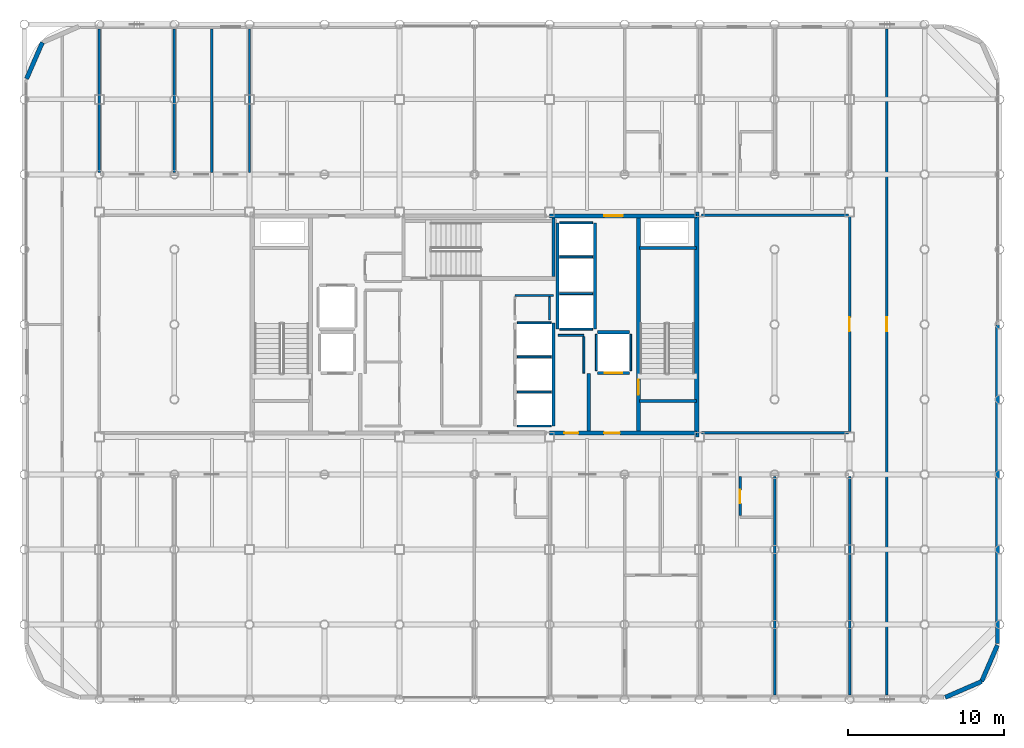
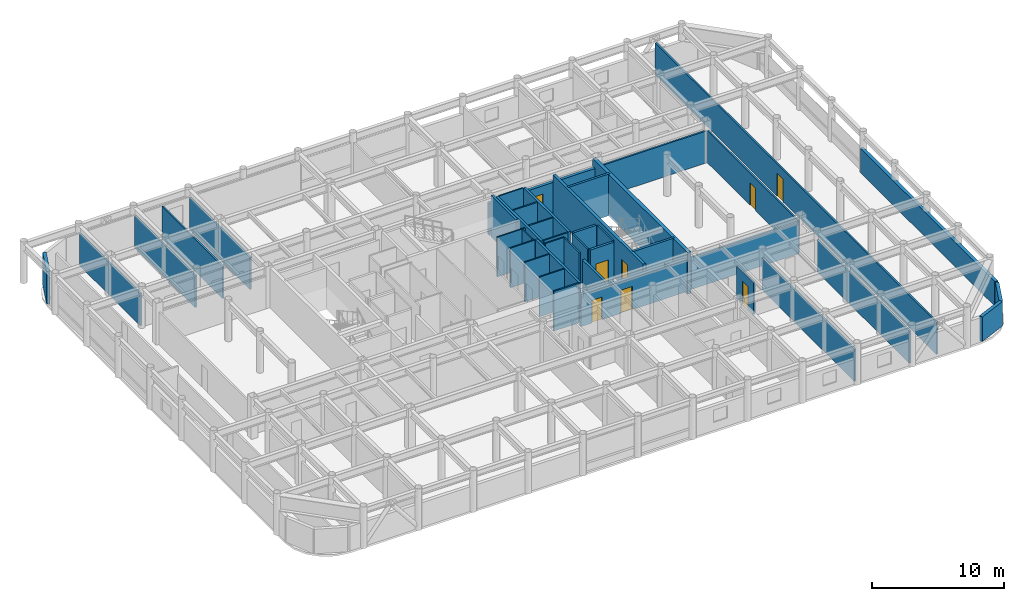
# One storey, part 19 of 21: 42 walls, 8 doors, 8 openings.
"""IFC4 building model written with IfcOpenShell, lengths in metres."""

from ifc_helpers import new_model, si_unit, direction, frame, frame_2d, origin, place, context, subcontext, project, spatial, rectangle, extrude, material, layer, layer_set, type_object, element, fill, save


model = new_model("IFC4")

# Units and contexts
model_context = context("Model", 3, precision=1e-05, world=origin(), true_north=direction((0.0, 1.0)))
body_context = subcontext(model_context, "Body", "Model", "MODEL_VIEW")
ifc_project = project(units=[si_unit("LENGTHUNIT", "METRE"), si_unit("AREAUNIT", "SQUARE_METRE"), si_unit("VOLUMEUNIT", "CUBIC_METRE"), si_unit("PLANEANGLEUNIT", "RADIAN"), si_unit("MASSUNIT", "GRAM", prefix="KILO")], contexts=[model_context])

# Site, building, storey
site_placement = place(None, origin())
site = spatial("IfcSite", under=ifc_project, at=site_placement, CompositionType="ELEMENT")
building_placement = place(site_placement, origin())
building = spatial("IfcBuilding", under=site, at=building_placement, Name="Kallvorn Hotel Tower", CompositionType="ELEMENT")
storey_placement = place(building_placement, frame((0.0, 0.0, 210.75)))
storey = spatial("IfcBuildingStorey", under=building, at=storey_placement, Name="L52", CompositionType="ELEMENT", Elevation=210.75)

# Wall
ifc_material_1 = material(Name="Concrete C50/60", Category="concrete")
ifc_layer_1 = layer(ifc_material_1, 0.300048828125)
ifc_layer_set_1 = layer_set([ifc_layer_1], Name="WL_CORE_300")
wall_type_1 = type_object("IfcWallType", Name="WL_CORE_300", PredefinedType="SHEAR", material=ifc_layer_set_1)
wall_1_placement = place(storey_placement, frame((14.215087890625, -7.199951171875, -0.179931640625), z_axis=(0.0, 0.0, 1.0), x_axis=(0.0, 1.0, 0.0)))
element("IfcWall", 1, at=wall_1_placement, inside=storey, type_object=wall_type_1, Name="L52 Core East Shear Wall", PredefinedType="SHEAR", context=body_context, shape_type="SweptSolid", body=[
    extrude(rectangle(XDim=14.39990234375, YDim=0.300048828125, at=frame_2d((7.199951171875, 0.0))), origin(), (0.0, 0.0, 1.0), 3.849853515625),
])

# Wall, opening, door
ifc_material_2 = material(Name="Fire-rated double-layer acoustic gypsum drywall EI 60")
ifc_layer_2 = layer(ifc_material_2, 0.159912109375)
ifc_layer_set_2 = layer_set([ifc_layer_2], Name="WL_DEMISE_160")
wall_type_2 = type_object("IfcWallType", Name="WL_DEMISE_160", PredefinedType="PARTITIONING", material=ifc_layer_set_2)
wall_2_placement = place(storey_placement, frame((16.989990234375, -12.235107421875, 0.0), z_axis=(0.0, 0.0, 1.0), x_axis=(0.0, 1.0, 0.0)))
wall_2 = element("IfcWall", 2, at=wall_2_placement, inside=storey, type_object=wall_type_2, Name="L52 Suite 5203 Superior Twin Room Partition", PredefinedType="PARTITIONING", context=body_context, shape_type="SweptSolid", body=[
    extrude(rectangle(XDim=2.51513671875, YDim=0.159912109375, at=frame_2d((1.257568359375, 0.0))), origin(), (0.0, 0.0, 1.0), 2.969970703125),
])
opening_1_placement = place(wall_2_placement, frame((0.784912109375, 0.0, 0.0)))
opening_1 = element("IfcOpeningElement", 3, at=opening_1_placement, cuts=wall_2, Name="Opening BD-I", PredefinedType="OPENING", context=body_context, shape_type="SweptSolid", body=[
    extrude(rectangle(XDim=0.860107421875, YDim=2.10009765625, at=frame_2d((0.43017578125, 1.050048828125))), frame((0.0, 0.094970703125, 0.0), z_axis=(0.0, -1.0, 0.0), x_axis=(1.0, 0.0, 0.0)), (0.0, 0.0, 1.0), 0.18994140625),
])
ifc_material_3 = material(Name="Solid-core walnut veneer fire-rated timber door leaf", Category="wood")
door_type_1 = type_object("IfcDoorType", Name="DR_BATH_860x2100", OperationType="NOTDEFINED", PredefinedType="DOOR", material=ifc_material_3)
door_1_placement = place(opening_1_placement, origin())
door_1 = element("IfcDoor", 4, at=door_1_placement, inside=storey, type_object=door_type_1, Name="L52 Suite 5203 En-Suite Bathroom Door", OperationType="SINGLE_SWING_RIGHT", OverallHeight=2.10009765625, OverallWidth=0.860107421875, PredefinedType="DOOR", context=body_context, shape_type="SweptSolid", body=[
    extrude(rectangle(XDim=0.860107421875, YDim=2.10009765625, at=frame_2d((0.43017578125, 1.050048828125))), frame((0.0, 0.02490234375, 0.0), z_axis=(0.0, -1.0, 0.0), x_axis=(1.0, 0.0, 0.0)), (0.0, 0.0, 1.0), 0.050048828125),
])
fill(opening_1, door_1)

# Walls
wall_3_placement = place(storey_placement, frame((19.199951171875, -23.7099609375, 0.0), z_axis=(0.0, 0.0, 1.0), x_axis=(0.0, 1.0, 0.0)))
element("IfcWall", 5, at=wall_3_placement, inside=storey, type_object=wall_type_2, Name="L52 Suite 5203 Superior Twin Room Partition", PredefinedType="PARTITIONING", context=body_context, shape_type="SweptSolid", body=[
    extrude(rectangle(XDim=13.989990234375, YDim=0.159912109375, at=frame_2d((6.9951171875, 0.0))), origin(), (0.0, 0.0, 1.0), 2.969970703125),
])
ifc_material_4 = material(Name="Precast basalt-clad insulated concrete wall C40/50", Category="masonry")
ifc_layer_3 = layer(ifc_material_4, 0.280029296875)
ifc_layer_set_3 = layer_set([ifc_layer_3], Name="WL_EXT_LOGGIA_280")
wall_type_3 = type_object("IfcWallType", Name="WL_EXT_LOGGIA_280", PredefinedType="SOLIDWALL", material=ifc_layer_set_3)
wall_4_placement = place(storey_placement, frame((30.120849609375, -23.85791015625, 0.0), z_axis=(0.0, 0.0, 1.0), x_axis=(0.917060872934, 0.398747232384, 0.0)))
element("IfcWall", 6, at=wall_4_placement, inside=storey, type_object=wall_type_3, Name="L52 Rounded Corner Exterior Wall SE1", PredefinedType="SOLIDWALL", context=body_context, shape_type="SweptSolid", body=[
    extrude(rectangle(XDim=2.5361328125, YDim=0.280029296875, at=frame_2d((1.26806640625, 0.0))), origin(), (0.0, 0.0, 1.0), 2.27001953125),
])
wall_5_placement = place(storey_placement, frame((32.446533203125, -22.8466796875, 0.0), z_axis=(0.0, 0.0, 1.0), x_axis=(0.398792985289, 0.917040977756, 0.0)))
element("IfcWall", 7, at=wall_5_placement, inside=storey, type_object=wall_type_3, Name="L52 Rounded Corner Exterior Wall SE2", PredefinedType="SOLIDWALL", context=body_context, shape_type="SweptSolid", body=[
    extrude(rectangle(XDim=2.536376953125, YDim=0.280029296875, at=frame_2d((1.26806640625, 0.0))), origin(), (0.0, 0.0, 1.0), 2.27001953125),
])
wall_6_placement = place(storey_placement, frame((-27.646484375, 18.046630859375, 0.0), z_axis=(0.0, 0.0, 1.0), x_axis=(-0.398792985289, -0.917040977756, 0.0)))
element("IfcWall", 8, at=wall_6_placement, inside=storey, type_object=wall_type_3, Name="L52 Rounded Corner Exterior Wall NW2", PredefinedType="SOLIDWALL", context=body_context, shape_type="SweptSolid", body=[
    extrude(rectangle(XDim=2.536376953125, YDim=0.280029296875, at=frame_2d((1.26806640625, 0.0))), origin(), (0.0, 0.0, 1.0), 3.02001953125),
])
wall_7_placement = place(storey_placement, frame((33.4599609375, -20.39990234375, 0.0), z_axis=(0.0, 0.0, 1.0), x_axis=(0.0, 1.0, 0.0)))
element("IfcWall", 9, at=wall_7_placement, inside=storey, type_object=wall_type_3, Name="L52 Exterior Envelope Wall EW-L52-ES", PredefinedType="SOLIDWALL", context=body_context, shape_type="SweptSolid", body=[
    extrude(rectangle(XDim=20.3798828125, YDim=0.280029296875, at=frame_2d((10.18994140625, 0.0))), origin(), (0.0, 0.0, 1.0), 2.27001953125),
])
ifc_material_5 = material(Name="Concrete C40/50", Category="concrete")
ifc_layer_4 = layer(ifc_material_5, 0.219970703125)
ifc_layer_set_4 = layer_set([ifc_layer_4], Name="WL_FFL_220")
wall_type_4 = type_object("IfcWallType", Name="WL_FFL_220", PredefinedType="SOLIDWALL", material=ifc_layer_set_4)
wall_8_placement = place(storey_placement, frame((7.300048828125, -6.820068359375, 0.0), z_axis=(0.0, 0.0, 1.0), x_axis=(0.0, 1.0, 0.0)))
element("IfcWall", 10, at=wall_8_placement, inside=storey, type_object=wall_type_4, Name="L52 Firefighting Lobby East Divider Wall", PredefinedType="SOLIDWALL", context=body_context, shape_type="SweptSolid", body=[
    extrude(rectangle(XDim=3.670166015625, YDim=0.219970703125, at=frame_2d((1.8349609375, 0.0))), origin(), (0.0, 0.0, 1.0), 2.969970703125),
])
ifc_material_6 = material(Name="Concrete C40/50", Category="concrete")
ifc_layer_5 = layer(ifc_material_6, 0.199951171875)
ifc_layer_set_5 = layer_set([ifc_layer_5], Name="WL_HOIST_200")
wall_type_5 = type_object("IfcWallType", Name="WL_HOIST_200", PredefinedType="SOLIDWALL", material=ifc_layer_set_5)
for number, where, z_axis, x_axis, name in (
    (11, (10.550048828125, -4.89990234375, -0.179931640625), (0.0, 0.0, 1.0), (1.0, 0.0, 0.0), "L52 Stair ST2 South Wall"),
    (12, (10.550048828125, 4.89990234375, -0.179931640625), (0.0, 0.0, 1.0), (1.0, 0.0, 0.0), "L52 Stair ST2 North Wall"),
):
    element("IfcWall", number, at=place(storey_placement, frame(where, z_axis=z_axis, x_axis=x_axis)), inside=storey, type_object=wall_type_5, Name=name, PredefinedType="SOLIDWALL", context=body_context, shape_type="SweptSolid", body=[
        extrude(rectangle(XDim=3.64990234375, YDim=0.199951171875, at=frame_2d((1.824951171875, 0.0))), origin(), (0.0, 0.0, 1.0), 3.849853515625),
    ])
wall_9_placement = place(storey_placement, frame((5.06005859375, 3.080078125, -0.179931640625), z_axis=(0.0, 0.0, 1.0), x_axis=(0.0, 1.0, 0.0)))
element("IfcWall", 13, at=wall_9_placement, inside=storey, type_object=wall_type_5, Name="L52 Stair ST3 East Wall", PredefinedType="SOLIDWALL", context=body_context, shape_type="SweptSolid", body=[
    extrude(rectangle(XDim=3.739990234375, YDim=0.199951171875, at=frame_2d((1.8701171875, 0.0))), origin(), (0.0, 0.0, 1.0), 3.849853515625),
])
wall_10_placement = place(storey_placement, frame((5.050048828125, -6.5, 0.0), z_axis=(0.0, 0.0, 1.0), x_axis=(0.0, 1.0, 0.0)))
element("IfcWall", 14, at=wall_10_placement, inside=storey, type_object=wall_type_5, Name="L52 Lift Bank B3A Rear Shaft Wall", PredefinedType="SOLIDWALL", context=body_context, shape_type="SweptSolid", body=[
    extrude(rectangle(XDim=6.60009765625, YDim=0.199951171875, at=frame_2d((3.300048828125, 0.0))), origin(), (0.0, 0.0, 1.0), 3.669921875),
])
for number, where, z_axis, x_axis, name in (
    (15, (7.699951171875, -0.300048828125, 0.0), (0.0, 0.0, 1.0), (0.0, 1.0, 0.0), "L52 Lift Bank OBS Landing Wall"),
    (16, (5.300048828125, -0.300048828125, 0.0), (0.0, 0.0, 1.0), (0.0, 1.0, 0.0), "L52 Lift Bank OBS Rear Shaft Wall"),
):
    element("IfcWall", number, at=place(storey_placement, frame(where, z_axis=z_axis, x_axis=x_axis)), inside=storey, type_object=wall_type_5, Name=name, PredefinedType="SOLIDWALL", context=body_context, shape_type="SweptSolid", body=[
        extrude(rectangle(XDim=6.800048828125, YDim=0.199951171875, at=frame_2d((3.39990234375, 0.0))), origin(), (0.0, 0.0, 1.0), 3.669921875),
    ])

# Wall, opening, door
wall_11_placement = place(storey_placement, frame((7.8798828125, -3.10009765625, 0.0), z_axis=(0.0, 0.0, 1.0), x_axis=(1.0, 0.0, 0.0)))
wall_11 = element("IfcWall", 17, at=wall_11_placement, inside=storey, type_object=wall_type_5, Name="L52 FL-2 Landing Wall", PredefinedType="SOLIDWALL", context=body_context, shape_type="SweptSolid", body=[
    extrude(rectangle(XDim=2.0400390625, YDim=0.199951171875, at=frame_2d((1.02001953125, 0.0))), origin(), (0.0, 0.0, 1.0), 3.669921875),
])
opening_2_placement = place(wall_11_placement, frame((0.469970703125, 0.0, 0.0)))
opening_2 = element("IfcOpeningElement", 18, at=opening_2_placement, cuts=wall_11, Name="Opening LD-FL-2", PredefinedType="OPENING", context=body_context, shape_type="SweptSolid", body=[
    extrude(rectangle(XDim=1.10009765625, YDim=2.199951171875, at=frame_2d((0.550048828125, 1.10009765625))), frame((0.0, 0.114990234375, 0.0), z_axis=(0.0, -1.0, 0.0), x_axis=(1.0, 0.0, 0.0)), (0.0, 0.0, 1.0), 0.22998046875),
])
ifc_material_7 = material(Name="Brushed stainless-steel automatic sliding lift landing door", Category="steel")
door_type_2 = type_object("IfcDoorType", Name="LD_PASS_1100x2200", OperationType="SLIDING_TO_LEFT", PredefinedType="DOOR", material=ifc_material_7)
door_2_placement = place(opening_2_placement, origin())
door_2 = element("IfcDoor", 19, at=door_2_placement, inside=storey, type_object=door_type_2, Name="L52 Lift Landing Sliding Door LD-FL-2", OperationType="SLIDING_TO_LEFT", OverallHeight=2.199951171875, OverallWidth=1.10009765625, PredefinedType="DOOR", context=body_context, shape_type="SweptSolid", body=[
    extrude(rectangle(XDim=1.10009765625, YDim=2.199951171875, at=frame_2d((0.550048828125, 1.10009765625))), frame((0.0, 0.02490234375, 0.0), z_axis=(0.0, -1.0, 0.0), x_axis=(1.0, 0.0, 0.0)), (0.0, 0.0, 1.0), 0.050048828125),
])
fill(opening_2, door_2)

# Walls
wall_12_placement = place(storey_placement, frame((7.8798828125, -0.5, 0.0), z_axis=(0.0, 0.0, 1.0), x_axis=(1.0, 0.0, 0.0)))
element("IfcWall", 20, at=wall_12_placement, inside=storey, type_object=wall_type_5, Name="L52 FL-2 Rear Shaft Wall", PredefinedType="SOLIDWALL", context=body_context, shape_type="SweptSolid", body=[
    extrude(rectangle(XDim=2.0400390625, YDim=0.199951171875, at=frame_2d((1.02001953125, 0.0))), origin(), (0.0, 0.0, 1.0), 3.669921875),
])
ifc_material_8 = material(Name="Fire-rated double-layer acoustic gypsum drywall EI 60")
ifc_layer_6 = layer(ifc_material_8, 0.1201171875)
ifc_layer_set_6 = layer_set([ifc_layer_6], Name="WL_INT_120")
wall_type_6 = type_object("IfcWallType", Name="WL_INT_120", PredefinedType="PARTITIONING", material=ifc_layer_set_6)
for number, where, z_axis, x_axis, name in (
    (21, (2.739990234375, -6.5, 0.0), (0.0, 0.0, 1.0), (1.0, 0.0, 0.0), "L52 Lift Bank B3A South Closure Wall"),
    (22, (2.739990234375, -4.324951171875, 0.0), (0.0, 0.0, 1.0), (1.0, 0.0, 0.0), "L52 PL-09 Hoistway Divider"),
    (23, (2.739990234375, -2.074951171875, 0.0), (0.0, 0.0, 1.0), (1.0, 0.0, 0.0), "L52 PL-10 Hoistway Divider"),
    (24, (2.739990234375, 0.10009765625, 0.0), (0.0, 0.0, 1.0), (1.0, 0.0, 0.0), "L52 PL-11 Hoistway Divider"),
):
    element("IfcWall", number, at=place(storey_placement, frame(where, z_axis=z_axis, x_axis=x_axis)), inside=storey, type_object=wall_type_6, Name=name, PredefinedType="PARTITIONING", context=body_context, shape_type="SweptSolid", body=[
        extrude(rectangle(XDim=2.169921875, YDim=0.1201171875, at=frame_2d((1.0849609375, 0.0))), origin(), (0.0, 0.0, 1.0), 3.669921875),
    ])
for number, where, z_axis, x_axis, name in (
    (25, (5.43994140625, -0.300048828125, 0.0), (0.0, 0.0, 1.0), (1.0, 0.0, 0.0), "L52 Lift Bank OBS South Closure Wall"),
    (26, (5.43994140625, 1.97509765625, 0.0), (0.0, 0.0, 1.0), (1.0, 0.0, 0.0), "L52 OB-01 Hoistway Divider"),
    (27, (5.43994140625, 4.324951171875, 0.0), (0.0, 0.0, 1.0), (1.0, 0.0, 0.0), "L52 OB-02 Hoistway Divider"),
    (28, (5.43994140625, 6.5, 0.0), (0.0, 0.0, 1.0), (1.0, 0.0, 0.0), "L52 OB-03 Hoistway Divider"),
):
    element("IfcWall", number, at=place(storey_placement, frame(where, z_axis=z_axis, x_axis=x_axis)), inside=storey, type_object=wall_type_6, Name=name, PredefinedType="PARTITIONING", context=body_context, shape_type="SweptSolid", body=[
        extrude(rectangle(XDim=2.1201171875, YDim=0.1201171875, at=frame_2d((1.06005859375, 0.0))), origin(), (0.0, 0.0, 1.0), 3.669921875),
    ])
for number, where, z_axis, x_axis, name in (
    (29, (7.800048828125, -2.9599609375, 0.0), (0.0, 0.0, 1.0), (0.0, 1.0, 0.0), "L52 FL-2 West Shaft Wall"),
    (30, (10.0, -2.9599609375, 0.0), (0.0, 0.0, 1.0), (0.0, 1.0, 0.0), "L52 FL-2 East Shaft Wall"),
):
    element("IfcWall", number, at=place(storey_placement, frame(where, z_axis=z_axis, x_axis=x_axis)), inside=storey, type_object=wall_type_6, Name=name, PredefinedType="PARTITIONING", context=body_context, shape_type="SweptSolid", body=[
        extrude(rectangle(XDim=2.320068359375, YDim=0.1201171875, at=frame_2d((1.16015625, 0.0))), origin(), (0.0, 0.0, 1.0), 3.669921875),
    ])
wall_13_placement = place(storey_placement, frame((5.35009765625, -0.699951171875, 0.0), z_axis=(0.0, 0.0, 1.0), x_axis=(1.0, 0.0, 0.0)))
element("IfcWall", 31, at=wall_13_placement, inside=storey, type_object=wall_type_6, Name="L52 Core Utility and Meter Room Partition", PredefinedType="PARTITIONING", context=body_context, shape_type="SweptSolid", body=[
    extrude(rectangle(XDim=1.64990234375, YDim=0.1201171875, at=frame_2d((0.824951171875, 0.0))), origin(), (0.0, 0.0, 1.0), 3.669921875),
])
wall_14_placement = place(storey_placement, frame((2.60009765625, 1.85009765625, 0.0), z_axis=(0.0, 0.0, 1.0), x_axis=(1.0, 0.0, 0.0)))
element("IfcWall", 32, at=wall_14_placement, inside=storey, type_object=wall_type_6, Name="L52 East Core Ice Pantry Partition", PredefinedType="PARTITIONING", context=body_context, shape_type="SweptSolid", body=[
    extrude(rectangle(XDim=2.449951171875, YDim=0.1201171875, at=frame_2d((1.22509765625, 0.0))), origin(), (0.0, 0.0, 1.0), 3.669921875),
])
wall_15_placement = place(storey_placement, frame((4.800048828125, 0.300048828125, 0.0), z_axis=(0.0, 0.0, 1.0), x_axis=(0.0, 1.0, 0.0)))
element("IfcWall", 33, at=wall_15_placement, inside=storey, type_object=wall_type_6, Name="L52 East Core Ice Pantry Partition", PredefinedType="PARTITIONING", context=body_context, shape_type="SweptSolid", body=[
    extrude(rectangle(XDim=1.46484375, YDim=0.1201171875, at=frame_2d((0.732421875, 0.0))), origin(), (0.0, 0.0, 1.0), 3.669921875),
])
wall_16_placement = place(storey_placement, frame((7.0, -3.110107421875, 0.0), z_axis=(0.0, 0.0, 1.0), x_axis=(0.0, 1.0, 0.0)))
element("IfcWall", 34, at=wall_16_placement, inside=storey, type_object=wall_type_6, Name="L52 Core Utility and Meter Room Partition", PredefinedType="PARTITIONING", context=body_context, shape_type="SweptSolid", body=[
    extrude(rectangle(XDim=2.3251953125, YDim=0.1201171875, at=frame_2d((1.16259765625, 0.0))), origin(), (0.0, 0.0, 1.0), 3.669921875),
])
ifc_material_9 = material(Name="Fire-rated double-layer acoustic gypsum drywall EI 60")
ifc_layer_7 = layer(ifc_material_9, 0.14990234375)
ifc_layer_set_7 = layer_set([ifc_layer_7], Name="WL_PART_150")
wall_type_7 = type_object("IfcWallType", Name="WL_PART_150", PredefinedType="PARTITIONING", material=ifc_layer_set_7)
for number, where, z_axis, x_axis, name in (
    (35, (14.52001953125, -6.919921875, 0.0), (0.0, 0.0, 1.0), (1.0, 0.0, 0.0), "L52 L52 High-Zone Inner East Club Gallery Partition"),
    (36, (14.52001953125, 6.97998046875, 0.0), (0.0, 0.0, 1.0), (1.0, 0.0, 0.0), "L52 L52 High-Zone Inner East Club Gallery Partition"),
):
    element("IfcWall", number, at=place(storey_placement, frame(where, z_axis=z_axis, x_axis=x_axis)), inside=storey, type_object=wall_type_7, Name=name, PredefinedType="PARTITIONING", context=body_context, shape_type="SweptSolid", body=[
        extrude(rectangle(XDim=9.39990234375, YDim=0.14990234375, at=frame_2d((4.699951171875, 0.0))), origin(), (0.0, 0.0, 1.0), 2.969970703125),
    ])
for number, where, z_axis, x_axis, name in (
    (37, (-24.0, 9.719970703125, 0.0), (0.0, 0.0, 1.0), (0.0, 1.0, 0.0), "L52 L52 High-Zone North-West Reading Salon Partition"),
    (38, (-19.199951171875, 9.719970703125, 0.0), (0.0, 0.0, 1.0), (0.0, 1.0, 0.0), "L52 Housekeeping and Linen Room Partition"),
    (39, (-16.800048828125, 9.719970703125, 0.0), (0.0, 0.0, 1.0), (0.0, 1.0, 0.0), "L52 Guest Tea and Refreshment Bar Partition"),
    (40, (-14.39990234375, 9.719970703125, 0.0), (0.0, 0.0, 1.0), (0.0, 1.0, 0.0), "L52 Guest Tea and Refreshment Bar Partition"),
):
    element("IfcWall", number, at=place(storey_placement, frame(where, z_axis=z_axis, x_axis=x_axis)), inside=storey, type_object=wall_type_7, Name=name, PredefinedType="PARTITIONING", context=body_context, shape_type="SweptSolid", body=[
        extrude(rectangle(XDim=9.18994140625, YDim=0.14990234375, at=frame_2d((4.594970703125, 0.0))), origin(), (0.0, 0.0, 1.0), 2.969970703125),
    ])
wall_17_placement = place(storey_placement, frame((24.0, -23.7099609375, 0.0), z_axis=(0.0, 0.0, 1.0), x_axis=(0.0, 1.0, 0.0)))
element("IfcWall", 41, at=wall_17_placement, inside=storey, type_object=wall_type_7, Name="L52 L52 High-Zone South-East Wine Bar Partition", PredefinedType="PARTITIONING", context=body_context, shape_type="SweptSolid", body=[
    extrude(rectangle(XDim=13.989990234375, YDim=0.14990234375, at=frame_2d((6.9951171875, 0.0))), origin(), (0.0, 0.0, 1.0), 2.969970703125),
])

# Wall, opening, door
wall_18_placement = place(storey_placement, frame((24.0, -6.8349609375, 0.0), z_axis=(0.0, 0.0, 1.0), x_axis=(0.0, 1.0, 0.0)))
wall_18 = element("IfcWall", 42, at=wall_18_placement, inside=storey, type_object=wall_type_7, Name="L52 L52 High-Zone Inner East Club Gallery Partition", PredefinedType="PARTITIONING", context=body_context, shape_type="SweptSolid", body=[
    extrude(rectangle(XDim=13.72998046875, YDim=0.14990234375, at=frame_2d((6.864990234375, 0.0))), origin(), (0.0, 0.0, 1.0), 2.969970703125),
])
opening_3_placement = place(wall_18_placement, frame((6.385009765625, 0.0, 0.0)))
opening_3 = element("IfcOpeningElement", 43, at=opening_3_placement, cuts=wall_18, Name="Opening SVD1", PredefinedType="OPENING", context=body_context, shape_type="SweptSolid", body=[
    extrude(rectangle(XDim=0.89990234375, YDim=2.10009765625, at=frame_2d((0.449951171875, 1.050048828125))), frame((0.0, 0.08984375, 0.0), z_axis=(0.0, -1.0, 0.0), x_axis=(1.0, 0.0, 0.0)), (0.0, 0.0, 1.0), 0.179931640625),
])
ifc_material_10 = material(Name="Galvanised painted steel fire-rated door assembly", Category="steel")
door_type_3 = type_object("IfcDoorType", Name="DR_SERV_900x2100", OperationType="NOTDEFINED", PredefinedType="DOOR", material=ifc_material_10)
door_3_placement = place(opening_3_placement, origin())
door_3 = element("IfcDoor", 44, at=door_3_placement, inside=storey, type_object=door_type_3, Name="L52 L52 High-Zone Inner East Club Gallery Door", OperationType="SINGLE_SWING_RIGHT", OverallHeight=2.10009765625, OverallWidth=0.89990234375, PredefinedType="DOOR", context=body_context, shape_type="SweptSolid", body=[
    extrude(rectangle(XDim=0.89990234375, YDim=2.10009765625, at=frame_2d((0.449951171875, 1.050048828125))), frame((0.0, 0.02490234375, 0.0), z_axis=(0.0, -1.0, 0.0), x_axis=(1.0, 0.0, 0.0)), (0.0, 0.0, 1.0), 0.050048828125),
])
fill(opening_3, door_3)

wall_19_placement = place(storey_placement, frame((26.3798828125, -23.7099609375, 0.0), z_axis=(0.0, 0.0, 1.0), x_axis=(0.0, 1.0, 0.0)))
wall_19 = element("IfcWall", 45, at=wall_19_placement, inside=storey, type_object=wall_type_7, Name="L52 L52 Outer East Sky Observatory Salon Partition", PredefinedType="PARTITIONING", context=body_context, shape_type="SweptSolid", body=[
    extrude(rectangle(XDim=42.619873046875, YDim=0.14990234375, at=frame_2d((21.31005859375, 0.0))), origin(), (0.0, 0.0, 1.0), 2.969970703125),
])
opening_4_placement = place(wall_19_placement, frame((23.260009765625, 0.0, 0.0)))
opening_4 = element("IfcOpeningElement", 46, at=opening_4_placement, cuts=wall_19, Name="Opening SVD1", PredefinedType="OPENING", context=body_context, shape_type="SweptSolid", body=[
    extrude(rectangle(XDim=0.89990234375, YDim=2.10009765625, at=frame_2d((0.449951171875, 1.050048828125))), frame((0.0, 0.08984375, 0.0), z_axis=(0.0, -1.0, 0.0), x_axis=(1.0, 0.0, 0.0)), (0.0, 0.0, 1.0), 0.179931640625),
])
door_4_placement = place(opening_4_placement, origin())
door_4 = element("IfcDoor", 47, at=door_4_placement, inside=storey, type_object=door_type_3, Name="L52 L52 Outer East Sky Observatory Salon Door", OperationType="SINGLE_SWING_LEFT", OverallHeight=2.10009765625, OverallWidth=0.89990234375, PredefinedType="DOOR", context=body_context, shape_type="SweptSolid", body=[
    extrude(rectangle(XDim=0.89990234375, YDim=2.10009765625, at=frame_2d((0.449951171875, 1.050048828125))), frame((0.0, 0.02490234375, 0.0), z_axis=(0.0, -1.0, 0.0), x_axis=(1.0, 0.0, 0.0)), (0.0, 0.0, 1.0), 0.050048828125),
])
fill(opening_4, door_4)

# Wall, openings, doors
ifc_material_11 = material(Name="Concrete C40/50", Category="concrete")
ifc_layer_8 = layer(ifc_material_11, 0.25)
ifc_layer_set_8 = layer_set([ifc_layer_8], Name="WL_SHAFT_250")
wall_type_8 = type_object("IfcWallType", Name="WL_SHAFT_250", PredefinedType="SOLIDWALL", material=ifc_layer_set_8)
wall_20_placement = place(storey_placement, frame((4.800048828125, -6.949951171875, 0.0), z_axis=(0.0, 0.0, 1.0), x_axis=(1.0, 0.0, 0.0)))
wall_20 = element("IfcWall", 48, at=wall_20_placement, inside=storey, type_object=wall_type_8, Name="L52 Core South-East Wall", PredefinedType="SOLIDWALL", context=body_context, shape_type="SweptSolid", body=[
    extrude(rectangle(XDim=9.39990234375, YDim=0.25, at=frame_2d((4.699951171875, 0.0))), origin(), (0.0, 0.0, 1.0), 2.969970703125),
])
opening_5_placement = place(wall_20_placement, frame((3.5, 0.0, 0.0)))
opening_5 = element("IfcOpeningElement", 49, at=opening_5_placement, cuts=wall_20, Name="Opening FD1", PredefinedType="OPENING", context=body_context, shape_type="SweptSolid", body=[
    extrude(rectangle(XDim=1.0, YDim=2.14990234375, at=frame_2d((0.5, 1.074951171875))), frame((0.0, 0.139892578125, 0.0), z_axis=(0.0, -1.0, 0.0), x_axis=(1.0, 0.0, 0.0)), (0.0, 0.0, 1.0), 0.280029296875),
])
opening_6_placement = place(wall_20_placement, frame((0.949951171875, 0.0, 0.0)))
opening_6 = element("IfcOpeningElement", 50, at=opening_6_placement, cuts=wall_20, Name="Opening SVD1", PredefinedType="OPENING", context=body_context, shape_type="SweptSolid", body=[
    extrude(rectangle(XDim=0.89990234375, YDim=2.10009765625, at=frame_2d((0.449951171875, 1.050048828125))), frame((0.0, 0.139892578125, 0.0), z_axis=(0.0, -1.0, 0.0), x_axis=(1.0, 0.0, 0.0)), (0.0, 0.0, 1.0), 0.280029296875),
])
ifc_material_12 = material(Name="Galvanised painted steel fire-rated door assembly", Category="steel")
door_type_4 = type_object("IfcDoorType", Name="DR_FFL_1000x2150", OperationType="NOTDEFINED", PredefinedType="DOOR", material=ifc_material_12)
door_5_placement = place(opening_5_placement, origin())
door_5 = element("IfcDoor", 51, at=door_5_placement, inside=storey, type_object=door_type_4, Name="L52 Firefighting Lobby East Door", OperationType="SINGLE_SWING_LEFT", OverallHeight=2.14990234375, OverallWidth=1.0, PredefinedType="DOOR", context=body_context, shape_type="SweptSolid", body=[
    extrude(rectangle(XDim=1.0, YDim=2.14990234375, at=frame_2d((0.5, 1.074951171875))), frame((0.0, 0.02490234375, 0.0), z_axis=(0.0, -1.0, 0.0), x_axis=(1.0, 0.0, 0.0)), (0.0, 0.0, 1.0), 0.050048828125),
])
fill(opening_5, door_5)
door_6_placement = place(opening_6_placement, origin())
door_6 = element("IfcDoor", 52, at=door_6_placement, inside=storey, type_object=door_type_3, Name="L52 Core Utility and Meter Room Door", OperationType="SINGLE_SWING_LEFT", OverallHeight=2.10009765625, OverallWidth=0.89990234375, PredefinedType="DOOR", context=body_context, shape_type="SweptSolid", body=[
    extrude(rectangle(XDim=0.89990234375, YDim=2.10009765625, at=frame_2d((0.449951171875, 1.050048828125))), frame((0.0, 0.02490234375, 0.0), z_axis=(0.0, -1.0, 0.0), x_axis=(1.0, 0.0, 0.0)), (0.0, 0.0, 1.0), 0.050048828125),
])
fill(opening_6, door_6)

# Wall, opening, door
wall_21_placement = place(storey_placement, frame((4.800048828125, 6.949951171875, 0.0), z_axis=(0.0, 0.0, 1.0), x_axis=(1.0, 0.0, 0.0)))
wall_21 = element("IfcWall", 53, at=wall_21_placement, inside=storey, type_object=wall_type_8, Name="L52 Core North-East Wall", PredefinedType="SOLIDWALL", context=body_context, shape_type="SweptSolid", body=[
    extrude(rectangle(XDim=9.39990234375, YDim=0.25, at=frame_2d((4.699951171875, 0.0))), origin(), (0.0, 0.0, 1.0), 2.969970703125),
])
opening_7_placement = place(wall_21_placement, frame((3.5, 0.0, 0.0)))
opening_7 = element("IfcOpeningElement", 54, at=opening_7_placement, cuts=wall_21, Name="Opening FD2", PredefinedType="OPENING", context=body_context, shape_type="SweptSolid", body=[
    extrude(rectangle(XDim=1.199951171875, YDim=2.199951171875, at=frame_2d((0.60009765625, 1.10009765625))), frame((0.0, 0.139892578125, 0.0), z_axis=(0.0, -1.0, 0.0), x_axis=(1.0, 0.0, 0.0)), (0.0, 0.0, 1.0), 0.280029296875),
])
ifc_material_13 = material(Name="Galvanised painted steel fire-rated door assembly", Category="steel")
door_type_5 = type_object("IfcDoorType", Name="DR_LOBBY_1200x2200", OperationType="DOUBLE_DOOR_SINGLE_SWING", PredefinedType="DOOR", material=ifc_material_13)
door_7_placement = place(opening_7_placement, origin())
door_7 = element("IfcDoor", 55, at=door_7_placement, inside=storey, type_object=door_type_5, Name="L52 Observatory Shuttle Lobby Door", OperationType="DOUBLE_DOOR_SINGLE_SWING", OverallHeight=2.199951171875, OverallWidth=1.199951171875, PredefinedType="DOOR", context=body_context, shape_type="SweptSolid", body=[
    extrude(rectangle(XDim=1.199951171875, YDim=2.199951171875, at=frame_2d((0.60009765625, 1.10009765625))), frame((0.0, 0.02490234375, 0.0), z_axis=(0.0, -1.0, 0.0), x_axis=(1.0, 0.0, 0.0)), (0.0, 0.0, 1.0), 0.050048828125),
])
fill(opening_7, door_7)

wall_22_placement = place(storey_placement, frame((10.5, -6.820068359375, -0.179931640625), z_axis=(0.0, 0.0, 1.0), x_axis=(0.0, 1.0, 0.0)))
wall_22 = element("IfcWall", 56, at=wall_22_placement, inside=storey, type_object=wall_type_8, Name="L52 Stair ST2 Shaft Wall", PredefinedType="SOLIDWALL", context=body_context, shape_type="SweptSolid", body=[
    extrude(rectangle(XDim=13.64013671875, YDim=0.25, at=frame_2d((6.820068359375, 0.0))), origin(), (0.0, 0.0, 1.0), 3.849853515625),
])
opening_8_placement = place(wall_22_placement, frame((2.320068359375, 0.0, 0.179931640625)))
opening_8 = element("IfcOpeningElement", 57, at=opening_8_placement, cuts=wall_22, Name="Opening SD1", PredefinedType="OPENING", context=body_context, shape_type="SweptSolid", body=[
    extrude(rectangle(XDim=0.949951171875, YDim=2.14990234375, at=frame_2d((0.47509765625, 1.074951171875))), frame((0.0, 0.139892578125, 0.0), z_axis=(0.0, -1.0, 0.0), x_axis=(1.0, 0.0, 0.0)), (0.0, 0.0, 1.0), 0.280029296875),
])
ifc_material_14 = material(Name="Galvanised painted steel fire-rated door assembly", Category="steel")
door_type_6 = type_object("IfcDoorType", Name="DR_STAIR_950x2150", OperationType="NOTDEFINED", PredefinedType="DOOR", material=ifc_material_14)
door_8_placement = place(opening_8_placement, origin())
door_8 = element("IfcDoor", 58, at=door_8_placement, inside=storey, type_object=door_type_6, Name="L52 Exit Stair ST2 Fire Door", OperationType="SINGLE_SWING_LEFT", OverallHeight=2.14990234375, OverallWidth=0.949951171875, PredefinedType="DOOR", context=body_context, shape_type="SweptSolid", body=[
    extrude(rectangle(XDim=0.949951171875, YDim=2.14990234375, at=frame_2d((0.47509765625, 1.074951171875))), frame((0.0, 0.02490234375, 0.0), z_axis=(0.0, -1.0, 0.0), x_axis=(1.0, 0.0, 0.0)), (0.0, 0.0, 1.0), 0.050048828125),
])
fill(opening_8, door_8)

save(model, "model.ifc")
